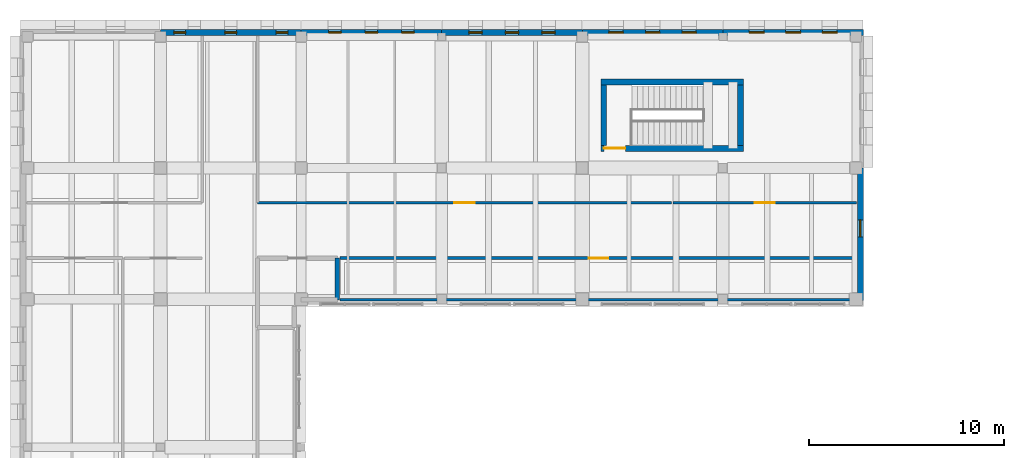
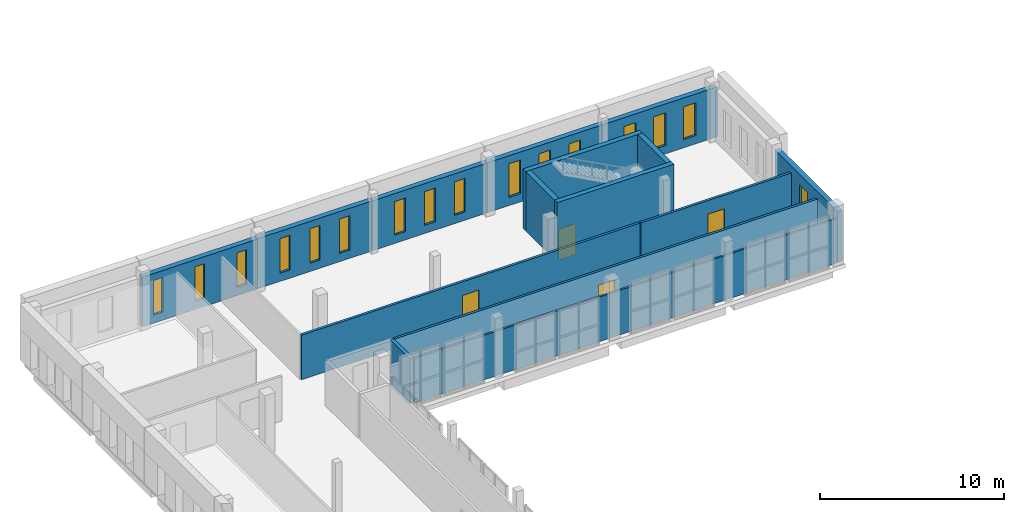
# One storey, part 59 of 76: 16 windows, 15 walls, 4 doors, 20 openings.
"""IFC4 building model written with IfcOpenShell, lengths in metres."""

from ifc_helpers import new_model, si_unit, direction, frame, frame_2d, origin, place, context, subcontext, project, spatial, rectangle, extrude, material, layer, layer_set, type_object, element, fill, save


model = new_model("IFC4")

# Units and contexts
model_context = context("Model", 3, precision=1e-05, world=origin(), true_north=direction((0.0, 1.0)))
body_context = subcontext(model_context, "Body", "Model", "MODEL_VIEW")
ifc_project = project(units=[si_unit("LENGTHUNIT", "METRE"), si_unit("AREAUNIT", "SQUARE_METRE"), si_unit("VOLUMEUNIT", "CUBIC_METRE"), si_unit("PLANEANGLEUNIT", "RADIAN"), si_unit("MASSUNIT", "GRAM", prefix="KILO")], contexts=[model_context])

# Site, building, storey
site_placement = place(None, origin())
site = spatial("IfcSite", under=ifc_project, at=site_placement, CompositionType="ELEMENT")
building_placement = place(site_placement, origin())
building = spatial("IfcBuilding", under=site, at=building_placement, Name="Vardoun Plaza Health Centre", CompositionType="ELEMENT")
storey_placement = place(building_placement, frame((0.0, 0.0, 4.5)))
storey = spatial("IfcBuildingStorey", under=building, at=storey_placement, Name="L01", CompositionType="ELEMENT", Elevation=4.5)

# Wall, opening, door
ifc_material_1 = material(Name="Concrete C40/50", Category="concrete")
ifc_layer_1 = layer(ifc_material_1, 0.300048828125)
ifc_layer_set_1 = layer_set([ifc_layer_1], Name="Concrete C40/50")
wall_type_1 = type_object("IfcWallType", Name="SW-01", PredefinedType="SHEAR", material=ifc_layer_set_1)
wall_1_placement = place(storey_placement, frame((41.550048828125, 109.199951171875, 0.0), z_axis=(0.0, 0.0, 1.0), x_axis=(-1.0, 0.0, 0.0)))
wall_1 = element("IfcWall", 1, at=wall_1_placement, inside=storey, type_object=wall_type_1, Name="Core C4 L01 Shear Wall S", PredefinedType="SHEAR", context=body_context, shape_type="SweptSolid", body=[
    extrude(rectangle(XDim=7.300048828125, YDim=0.300048828125, at=frame_2d((3.64990234375, 0.0))), origin(), (0.0, 0.0, 1.0), 3.93505859375),
])
opening_1_placement = place(wall_1_placement, frame((6.0400390625, 0.0, 0.0)))
opening_1 = element("IfcOpeningElement", 2, at=opening_1_placement, cuts=wall_1, Name="Opening SD-C4-L01", PredefinedType="OPENING", context=body_context, shape_type="SweptSolid", body=[
    extrude(rectangle(XDim=1.10009765625, YDim=2.050048828125, at=frame_2d((0.550048828125, 1.02490234375))), frame((0.0, 0.14990234375, 0.0), z_axis=(0.0, -1.0, 0.0), x_axis=(1.0, 0.0, 0.0)), (0.0, 0.0, 1.0), 0.300048828125),
])
ifc_material_2 = material(Name="Brushed Stainless Steel Grade 316L", Category="steel")
door_type_1 = type_object("IfcDoorType", Name="FD-01", OperationType="NOTDEFINED", PredefinedType="DOOR", material=ifc_material_2)
door_1_placement = place(opening_1_placement, origin())
door_1 = element("IfcDoor", 3, at=door_1_placement, inside=storey, type_object=door_type_1, Name="Stair C4 L01 Fire Door", OperationType="SINGLE_SWING_LEFT", OverallHeight=2.050048828125, OverallWidth=1.10009765625, PredefinedType="DOOR", context=body_context, shape_type="SweptSolid", body=[
    extrude(rectangle(XDim=1.10009765625, YDim=2.050048828125, at=frame_2d((0.550048828125, 1.02490234375))), frame((0.0, 0.02490234375, 0.0), z_axis=(0.0, -1.0, 0.0), x_axis=(1.0, 0.0, 0.0)), (0.0, 0.0, 1.0), 0.050048828125),
])
fill(opening_1, door_1)

# Walls
wall_2_placement = place(storey_placement, frame((34.39990234375, 109.35009765625, 0.0), z_axis=(0.0, 0.0, 1.0), x_axis=(0.0, 1.0, 0.0)))
element("IfcWall", 4, at=wall_2_placement, inside=storey, type_object=wall_type_1, Name="Core C4 L01 Shear Wall W", PredefinedType="SHEAR", context=body_context, shape_type="SweptSolid", body=[
    extrude(rectangle(XDim=3.099853515625, YDim=0.300048828125, at=frame_2d((1.5498046875, 0.0))), origin(), (0.0, 0.0, 1.0), 3.93505859375),
])
wall_3_placement = place(storey_placement, frame((34.25, 112.60009765625, 0.0), z_axis=(0.0, 0.0, 1.0), x_axis=(1.0, 0.0, 0.0)))
element("IfcWall", 5, at=wall_3_placement, inside=storey, type_object=wall_type_1, Name="Core C4 L01 Shear Wall N", PredefinedType="SHEAR", context=body_context, shape_type="SweptSolid", body=[
    extrude(rectangle(XDim=7.300048828125, YDim=0.300048828125, at=frame_2d((3.64990234375, 0.0))), origin(), (0.0, 0.0, 1.0), 3.93505859375),
])
wall_4_placement = place(storey_placement, frame((41.39990234375, 112.449951171875, 0.0), z_axis=(0.0, 0.0, 1.0), x_axis=(0.0, -1.0, 0.0)))
element("IfcWall", 6, at=wall_4_placement, inside=storey, type_object=wall_type_1, Name="Core C4 L01 Shear Wall E", PredefinedType="SHEAR", context=body_context, shape_type="SweptSolid", body=[
    extrude(rectangle(XDim=3.099853515625, YDim=0.300048828125, at=frame_2d((1.5498046875, 0.0))), origin(), (0.0, 0.0, 1.0), 3.93505859375),
])

# Wall, openings, windows
ifc_material_3 = material(Name="Pale Limestone Concrete C35/45", Category="masonry")
ifc_layer_2 = layer(ifc_material_3, 0.31494140625)
ifc_layer_set_2 = layer_set([ifc_layer_2], Name="Pale Limestone Concrete C35/45")
wall_type_2 = type_object("IfcWallType", Name="EW-03", PredefinedType="SOLIDWALL", material=ifc_layer_set_2)
wall_5_placement = place(storey_placement, frame((11.699951171875, 115.142578125, 0.0), z_axis=(0.0, 0.0, 1.0), x_axis=(1.0, 0.0, 0.0)))
wall_5 = element("IfcWall", 7, at=wall_5_placement, inside=storey, type_object=wall_type_2, Name="V3 L01 Exterior Wall EW-V3-260", PredefinedType="SOLIDWALL", context=body_context, shape_type="SweptSolid", body=[
    extrude(rectangle(XDim=7.199951171875, YDim=0.31494140625, at=frame_2d((3.60009765625, 0.0))), origin(), (0.0, 0.0, 1.0), 3.300048828125),
])
opening_2_placement = place(wall_5_placement, frame((0.677978515625, 0.0, 0.550048828125)))
opening_2 = element("IfcOpeningElement", 8, at=opening_2_placement, cuts=wall_5, Name="Opening W-11-007", PredefinedType="OPENING", context=body_context, shape_type="SweptSolid", body=[
    extrude(rectangle(XDim=0.60009765625, YDim=2.280029296875, at=frame_2d((0.300048828125, 1.14013671875))), frame((0.0, 0.157470703125, 0.0), z_axis=(0.0, -1.0, 0.0), x_axis=(1.0, 0.0, 0.0)), (0.0, 0.0, 1.0), 0.31494140625),
])
opening_3_placement = place(wall_5_placement, frame((3.300048828125, 0.0, 0.550048828125)))
opening_3 = element("IfcOpeningElement", 9, at=opening_3_placement, cuts=wall_5, Name="Opening W-11-008", PredefinedType="OPENING", context=body_context, shape_type="SweptSolid", body=[
    extrude(rectangle(XDim=0.60009765625, YDim=2.280029296875, at=frame_2d((0.300048828125, 1.14013671875))), frame((0.0, 0.157470703125, 0.0), z_axis=(0.0, -1.0, 0.0), x_axis=(1.0, 0.0, 0.0)), (0.0, 0.0, 1.0), 0.31494140625),
])
opening_4_placement = place(wall_5_placement, frame((5.922119140625, 0.0, 0.550048828125)))
opening_4 = element("IfcOpeningElement", 10, at=opening_4_placement, cuts=wall_5, Name="Opening W-11-009", PredefinedType="OPENING", context=body_context, shape_type="SweptSolid", body=[
    extrude(rectangle(XDim=0.60009765625, YDim=2.280029296875, at=frame_2d((0.300048828125, 1.14013671875))), frame((0.0, 0.157470703125, 0.0), z_axis=(0.0, -1.0, 0.0), x_axis=(1.0, 0.0, 0.0)), (0.0, 0.0, 1.0), 0.31494140625),
])
ifc_material_4 = material(Name="Aluminium Alloy EN AW-6063-T6 and Low-E Glass", Category="aluminium")
window_type_1 = type_object("IfcWindowType", Name="W-11", PartitioningType="SINGLE_PANEL", PredefinedType="WINDOW", material=ifc_material_4)
window_1_placement = place(opening_2_placement, origin())
window_1 = element("IfcWindow", 11, at=window_1_placement, inside=storey, type_object=window_type_1, Name="V3 L01 Deep-Punched Slot Window W-11-390", OverallHeight=2.280029296875, OverallWidth=0.60009765625, PartitioningType="SINGLE_PANEL", PredefinedType="WINDOW", context=body_context, shape_type="SweptSolid", body=[
    extrude(rectangle(XDim=0.60009765625, YDim=2.280029296875, at=frame_2d((0.300048828125, 1.14013671875))), frame((0.0, 0.030029296875, 0.0), z_axis=(0.0, -1.0, 0.0), x_axis=(1.0, 0.0, 0.0)), (0.0, 0.0, 1.0), 0.06005859375),
])
fill(opening_2, window_1)
window_2_placement = place(opening_3_placement, origin())
window_2 = element("IfcWindow", 12, at=window_2_placement, inside=storey, type_object=window_type_1, Name="V3 L01 Deep-Punched Slot Window W-11-391", OverallHeight=2.280029296875, OverallWidth=0.60009765625, PartitioningType="SINGLE_PANEL", PredefinedType="WINDOW", context=body_context, shape_type="SweptSolid", body=[
    extrude(rectangle(XDim=0.60009765625, YDim=2.280029296875, at=frame_2d((0.300048828125, 1.14013671875))), frame((0.0, 0.030029296875, 0.0), z_axis=(0.0, -1.0, 0.0), x_axis=(1.0, 0.0, 0.0)), (0.0, 0.0, 1.0), 0.06005859375),
])
fill(opening_3, window_2)
window_3_placement = place(opening_4_placement, origin())
window_3 = element("IfcWindow", 13, at=window_3_placement, inside=storey, type_object=window_type_1, Name="V3 L01 Deep-Punched Slot Window W-11-392", OverallHeight=2.280029296875, OverallWidth=0.60009765625, PartitioningType="SINGLE_PANEL", PredefinedType="WINDOW", context=body_context, shape_type="SweptSolid", body=[
    extrude(rectangle(XDim=0.60009765625, YDim=2.280029296875, at=frame_2d((0.300048828125, 1.14013671875))), frame((0.0, 0.030029296875, 0.0), z_axis=(0.0, -1.0, 0.0), x_axis=(1.0, 0.0, 0.0)), (0.0, 0.0, 1.0), 0.06005859375),
])
fill(opening_4, window_3)

wall_6_placement = place(storey_placement, frame((18.89990234375, 115.142578125, 0.0), z_axis=(0.0, 0.0, 1.0), x_axis=(1.0, 0.0, 0.0)))
wall_6 = element("IfcWall", 14, at=wall_6_placement, inside=storey, type_object=wall_type_2, Name="V3 L01 Exterior Wall EW-V3-261", PredefinedType="SOLIDWALL", context=body_context, shape_type="SweptSolid", body=[
    extrude(rectangle(XDim=7.2001953125, YDim=0.31494140625, at=frame_2d((3.60009765625, 0.0))), origin(), (0.0, 0.0, 1.0), 3.320068359375),
])
opening_5_placement = place(wall_6_placement, frame((1.407958984375, 0.0, 0.550048828125)))
opening_5 = element("IfcOpeningElement", 15, at=opening_5_placement, cuts=wall_6, Name="Opening W-12-007", PredefinedType="OPENING", context=body_context, shape_type="SweptSolid", body=[
    extrude(rectangle(XDim=0.639892578125, YDim=2.280029296875, at=frame_2d((0.31982421875, 1.14013671875))), frame((0.0, 0.157470703125, 0.0), z_axis=(0.0, -1.0, 0.0), x_axis=(1.0, 0.0, 0.0)), (0.0, 0.0, 1.0), 0.31494140625),
])
opening_6_placement = place(wall_6_placement, frame((3.280029296875, 0.0, 0.550048828125)))
opening_6 = element("IfcOpeningElement", 16, at=opening_6_placement, cuts=wall_6, Name="Opening W-12-008", PredefinedType="OPENING", context=body_context, shape_type="SweptSolid", body=[
    extrude(rectangle(XDim=0.639892578125, YDim=2.280029296875, at=frame_2d((0.31982421875, 1.14013671875))), frame((0.0, 0.157470703125, 0.0), z_axis=(0.0, -1.0, 0.0), x_axis=(1.0, 0.0, 0.0)), (0.0, 0.0, 1.0), 0.31494140625),
])
opening_7_placement = place(wall_6_placement, frame((5.152099609375, 0.0, 0.550048828125)))
opening_7 = element("IfcOpeningElement", 17, at=opening_7_placement, cuts=wall_6, Name="Opening W-12-009", PredefinedType="OPENING", context=body_context, shape_type="SweptSolid", body=[
    extrude(rectangle(XDim=0.639892578125, YDim=2.280029296875, at=frame_2d((0.31982421875, 1.14013671875))), frame((0.0, 0.157470703125, 0.0), z_axis=(0.0, -1.0, 0.0), x_axis=(1.0, 0.0, 0.0)), (0.0, 0.0, 1.0), 0.31494140625),
])
ifc_material_5 = material(Name="Aluminium Alloy EN AW-6063-T6 and Low-E Glass", Category="aluminium")
window_type_2 = type_object("IfcWindowType", Name="W-12", PartitioningType="SINGLE_PANEL", PredefinedType="WINDOW", material=ifc_material_5)
window_4_placement = place(opening_5_placement, origin())
window_4 = element("IfcWindow", 18, at=window_4_placement, inside=storey, type_object=window_type_2, Name="V3 L01 Deep-Punched Slot Window W-12-393", OverallHeight=2.280029296875, OverallWidth=0.639892578125, PartitioningType="SINGLE_PANEL", PredefinedType="WINDOW", context=body_context, shape_type="SweptSolid", body=[
    extrude(rectangle(XDim=0.639892578125, YDim=2.280029296875, at=frame_2d((0.31982421875, 1.14013671875))), frame((0.0, 0.030029296875, 0.0), z_axis=(0.0, -1.0, 0.0), x_axis=(1.0, 0.0, 0.0)), (0.0, 0.0, 1.0), 0.06005859375),
])
fill(opening_5, window_4)
window_5_placement = place(opening_6_placement, origin())
window_5 = element("IfcWindow", 19, at=window_5_placement, inside=storey, type_object=window_type_2, Name="V3 L01 Deep-Punched Slot Window W-12-394", OverallHeight=2.280029296875, OverallWidth=0.639892578125, PartitioningType="SINGLE_PANEL", PredefinedType="WINDOW", context=body_context, shape_type="SweptSolid", body=[
    extrude(rectangle(XDim=0.639892578125, YDim=2.280029296875, at=frame_2d((0.31982421875, 1.14013671875))), frame((0.0, 0.030029296875, 0.0), z_axis=(0.0, -1.0, 0.0), x_axis=(1.0, 0.0, 0.0)), (0.0, 0.0, 1.0), 0.06005859375),
])
fill(opening_6, window_5)
window_6_placement = place(opening_7_placement, origin())
window_6 = element("IfcWindow", 20, at=window_6_placement, inside=storey, type_object=window_type_2, Name="V3 L01 Deep-Punched Slot Window W-12-395", OverallHeight=2.280029296875, OverallWidth=0.639892578125, PartitioningType="SINGLE_PANEL", PredefinedType="WINDOW", context=body_context, shape_type="SweptSolid", body=[
    extrude(rectangle(XDim=0.639892578125, YDim=2.280029296875, at=frame_2d((0.31982421875, 1.14013671875))), frame((0.0, 0.030029296875, 0.0), z_axis=(0.0, -1.0, 0.0), x_axis=(1.0, 0.0, 0.0)), (0.0, 0.0, 1.0), 0.06005859375),
])
fill(opening_7, window_6)

wall_7_placement = place(storey_placement, frame((26.10009765625, 115.142578125, 0.0), z_axis=(0.0, 0.0, 1.0), x_axis=(1.0, 0.0, 0.0)))
wall_7 = element("IfcWall", 21, at=wall_7_placement, inside=storey, type_object=wall_type_2, Name="V3 L01 Exterior Wall EW-V3-262", PredefinedType="SOLIDWALL", context=body_context, shape_type="SweptSolid", body=[
    extrude(rectangle(XDim=7.199951171875, YDim=0.31494140625, at=frame_2d((3.60009765625, 0.0))), origin(), (0.0, 0.0, 1.0), 3.300048828125),
])
opening_8_placement = place(wall_7_placement, frame((1.387939453125, 0.0, 0.550048828125)))
opening_8 = element("IfcOpeningElement", 22, at=opening_8_placement, cuts=wall_7, Name="Opening W-13-009", PredefinedType="OPENING", context=body_context, shape_type="SweptSolid", body=[
    extrude(rectangle(XDim=0.679931640625, YDim=2.219970703125, at=frame_2d((0.33984375, 1.10986328125))), frame((0.0, 0.157470703125, 0.0), z_axis=(0.0, -1.0, 0.0), x_axis=(1.0, 0.0, 0.0)), (0.0, 0.0, 1.0), 0.31494140625),
])
opening_9_placement = place(wall_7_placement, frame((3.260009765625, 0.0, 0.550048828125)))
opening_9 = element("IfcOpeningElement", 23, at=opening_9_placement, cuts=wall_7, Name="Opening W-13-010", PredefinedType="OPENING", context=body_context, shape_type="SweptSolid", body=[
    extrude(rectangle(XDim=0.679931640625, YDim=2.219970703125, at=frame_2d((0.33984375, 1.10986328125))), frame((0.0, 0.157470703125, 0.0), z_axis=(0.0, -1.0, 0.0), x_axis=(1.0, 0.0, 0.0)), (0.0, 0.0, 1.0), 0.31494140625),
])
opening_10_placement = place(wall_7_placement, frame((5.132080078125, 0.0, 0.550048828125)))
opening_10 = element("IfcOpeningElement", 24, at=opening_10_placement, cuts=wall_7, Name="Opening W-13-011", PredefinedType="OPENING", context=body_context, shape_type="SweptSolid", body=[
    extrude(rectangle(XDim=0.679931640625, YDim=2.219970703125, at=frame_2d((0.33984375, 1.10986328125))), frame((0.0, 0.157470703125, 0.0), z_axis=(0.0, -1.0, 0.0), x_axis=(1.0, 0.0, 0.0)), (0.0, 0.0, 1.0), 0.31494140625),
])
ifc_material_6 = material(Name="Aluminium Alloy EN AW-6063-T6 and Low-E Glass", Category="aluminium")
window_type_3 = type_object("IfcWindowType", Name="W-13", PartitioningType="SINGLE_PANEL", PredefinedType="WINDOW", material=ifc_material_6)
window_7_placement = place(opening_8_placement, origin())
window_7 = element("IfcWindow", 25, at=window_7_placement, inside=storey, type_object=window_type_3, Name="V3 L01 Deep-Punched Slot Window W-13-396", OverallHeight=2.219970703125, OverallWidth=0.679931640625, PartitioningType="SINGLE_PANEL", PredefinedType="WINDOW", context=body_context, shape_type="SweptSolid", body=[
    extrude(rectangle(XDim=0.679931640625, YDim=2.219970703125, at=frame_2d((0.33984375, 1.10986328125))), frame((0.0, 0.030029296875, 0.0), z_axis=(0.0, -1.0, 0.0), x_axis=(1.0, 0.0, 0.0)), (0.0, 0.0, 1.0), 0.06005859375),
])
fill(opening_8, window_7)
window_8_placement = place(opening_9_placement, origin())
window_8 = element("IfcWindow", 26, at=window_8_placement, inside=storey, type_object=window_type_3, Name="V3 L01 Deep-Punched Slot Window W-13-397", OverallHeight=2.219970703125, OverallWidth=0.679931640625, PartitioningType="SINGLE_PANEL", PredefinedType="WINDOW", context=body_context, shape_type="SweptSolid", body=[
    extrude(rectangle(XDim=0.679931640625, YDim=2.219970703125, at=frame_2d((0.33984375, 1.10986328125))), frame((0.0, 0.030029296875, 0.0), z_axis=(0.0, -1.0, 0.0), x_axis=(1.0, 0.0, 0.0)), (0.0, 0.0, 1.0), 0.06005859375),
])
fill(opening_9, window_8)
window_9_placement = place(opening_10_placement, origin())
window_9 = element("IfcWindow", 27, at=window_9_placement, inside=storey, type_object=window_type_3, Name="V3 L01 Deep-Punched Slot Window W-13-398", OverallHeight=2.219970703125, OverallWidth=0.679931640625, PartitioningType="SINGLE_PANEL", PredefinedType="WINDOW", context=body_context, shape_type="SweptSolid", body=[
    extrude(rectangle(XDim=0.679931640625, YDim=2.219970703125, at=frame_2d((0.33984375, 1.10986328125))), frame((0.0, 0.030029296875, 0.0), z_axis=(0.0, -1.0, 0.0), x_axis=(1.0, 0.0, 0.0)), (0.0, 0.0, 1.0), 0.06005859375),
])
fill(opening_10, window_9)

wall_8_placement = place(storey_placement, frame((33.300048828125, 115.142578125, 0.0), z_axis=(0.0, 0.0, 1.0), x_axis=(1.0, 0.0, 0.0)))
wall_8 = element("IfcWall", 28, at=wall_8_placement, inside=storey, type_object=wall_type_2, Name="V3 L01 Exterior Wall EW-V3-263", PredefinedType="SOLIDWALL", context=body_context, shape_type="SweptSolid", body=[
    extrude(rectangle(XDim=7.199951171875, YDim=0.31494140625, at=frame_2d((3.60009765625, 0.0))), origin(), (0.0, 0.0, 1.0), 3.300048828125),
])
opening_11_placement = place(wall_8_placement, frame((1.367919921875, 0.0, 0.550048828125)))
opening_11 = element("IfcOpeningElement", 29, at=opening_11_placement, cuts=wall_8, Name="Opening W-14-004", PredefinedType="OPENING", context=body_context, shape_type="SweptSolid", body=[
    extrude(rectangle(XDim=0.719970703125, YDim=2.219970703125, at=frame_2d((0.35986328125, 1.10986328125))), frame((0.0, 0.157470703125, 0.0), z_axis=(0.0, -1.0, 0.0), x_axis=(1.0, 0.0, 0.0)), (0.0, 0.0, 1.0), 0.31494140625),
])
opening_12_placement = place(wall_8_placement, frame((3.239990234375, 0.0, 0.550048828125)))
opening_12 = element("IfcOpeningElement", 30, at=opening_12_placement, cuts=wall_8, Name="Opening W-14-005", PredefinedType="OPENING", context=body_context, shape_type="SweptSolid", body=[
    extrude(rectangle(XDim=0.719970703125, YDim=2.219970703125, at=frame_2d((0.35986328125, 1.10986328125))), frame((0.0, 0.157470703125, 0.0), z_axis=(0.0, -1.0, 0.0), x_axis=(1.0, 0.0, 0.0)), (0.0, 0.0, 1.0), 0.31494140625),
])
opening_13_placement = place(wall_8_placement, frame((5.112060546875, 0.0, 0.550048828125)))
opening_13 = element("IfcOpeningElement", 31, at=opening_13_placement, cuts=wall_8, Name="Opening W-14-006", PredefinedType="OPENING", context=body_context, shape_type="SweptSolid", body=[
    extrude(rectangle(XDim=0.719970703125, YDim=2.219970703125, at=frame_2d((0.35986328125, 1.10986328125))), frame((0.0, 0.157470703125, 0.0), z_axis=(0.0, -1.0, 0.0), x_axis=(1.0, 0.0, 0.0)), (0.0, 0.0, 1.0), 0.31494140625),
])
ifc_material_7 = material(Name="Aluminium Alloy EN AW-6063-T6 and Low-E Glass", Category="aluminium")
window_type_4 = type_object("IfcWindowType", Name="W-14", PartitioningType="SINGLE_PANEL", PredefinedType="WINDOW", material=ifc_material_7)
window_10_placement = place(opening_11_placement, origin())
window_10 = element("IfcWindow", 32, at=window_10_placement, inside=storey, type_object=window_type_4, Name="V3 L01 Deep-Punched Slot Window W-14-399", OverallHeight=2.219970703125, OverallWidth=0.719970703125, PartitioningType="SINGLE_PANEL", PredefinedType="WINDOW", context=body_context, shape_type="SweptSolid", body=[
    extrude(rectangle(XDim=0.719970703125, YDim=2.219970703125, at=frame_2d((0.35986328125, 1.10986328125))), frame((0.0, 0.030029296875, 0.0), z_axis=(0.0, -1.0, 0.0), x_axis=(1.0, 0.0, 0.0)), (0.0, 0.0, 1.0), 0.06005859375),
])
fill(opening_11, window_10)
window_11_placement = place(opening_12_placement, origin())
window_11 = element("IfcWindow", 33, at=window_11_placement, inside=storey, type_object=window_type_4, Name="V3 L01 Deep-Punched Slot Window W-14-400", OverallHeight=2.219970703125, OverallWidth=0.719970703125, PartitioningType="SINGLE_PANEL", PredefinedType="WINDOW", context=body_context, shape_type="SweptSolid", body=[
    extrude(rectangle(XDim=0.719970703125, YDim=2.219970703125, at=frame_2d((0.35986328125, 1.10986328125))), frame((0.0, 0.030029296875, 0.0), z_axis=(0.0, -1.0, 0.0), x_axis=(1.0, 0.0, 0.0)), (0.0, 0.0, 1.0), 0.06005859375),
])
fill(opening_12, window_11)
window_12_placement = place(opening_13_placement, origin())
window_12 = element("IfcWindow", 34, at=window_12_placement, inside=storey, type_object=window_type_4, Name="V3 L01 Deep-Punched Slot Window W-14-401", OverallHeight=2.219970703125, OverallWidth=0.719970703125, PartitioningType="SINGLE_PANEL", PredefinedType="WINDOW", context=body_context, shape_type="SweptSolid", body=[
    extrude(rectangle(XDim=0.719970703125, YDim=2.219970703125, at=frame_2d((0.35986328125, 1.10986328125))), frame((0.0, 0.030029296875, 0.0), z_axis=(0.0, -1.0, 0.0), x_axis=(1.0, 0.0, 0.0)), (0.0, 0.0, 1.0), 0.06005859375),
])
fill(opening_13, window_12)

wall_9_placement = place(storey_placement, frame((40.5, 115.142578125, 0.0), z_axis=(0.0, 0.0, 1.0), x_axis=(1.0, 0.0, 0.0)))
wall_9 = element("IfcWall", 35, at=wall_9_placement, inside=storey, type_object=wall_type_2, Name="V3 L01 Exterior Wall EW-V3-264", PredefinedType="SOLIDWALL", context=body_context, shape_type="SweptSolid", body=[
    extrude(rectangle(XDim=7.199951171875, YDim=0.31494140625, at=frame_2d((3.60009765625, 0.0))), origin(), (0.0, 0.0, 1.0), 3.300048828125),
])
opening_14_placement = place(wall_9_placement, frame((1.347900390625, 0.0, 0.550048828125)))
opening_14 = element("IfcOpeningElement", 36, at=opening_14_placement, cuts=wall_9, Name="Opening W-15-004", PredefinedType="OPENING", context=body_context, shape_type="SweptSolid", body=[
    extrude(rectangle(XDim=0.760009765625, YDim=2.159912109375, at=frame_2d((0.3798828125, 1.080078125))), frame((0.0, 0.157470703125, 0.0), z_axis=(0.0, -1.0, 0.0), x_axis=(1.0, 0.0, 0.0)), (0.0, 0.0, 1.0), 0.31494140625),
])
opening_15_placement = place(wall_9_placement, frame((3.219970703125, 0.0, 0.550048828125)))
opening_15 = element("IfcOpeningElement", 37, at=opening_15_placement, cuts=wall_9, Name="Opening W-15-005", PredefinedType="OPENING", context=body_context, shape_type="SweptSolid", body=[
    extrude(rectangle(XDim=0.760009765625, YDim=2.159912109375, at=frame_2d((0.3798828125, 1.080078125))), frame((0.0, 0.157470703125, 0.0), z_axis=(0.0, -1.0, 0.0), x_axis=(1.0, 0.0, 0.0)), (0.0, 0.0, 1.0), 0.31494140625),
])
opening_16_placement = place(wall_9_placement, frame((5.092041015625, 0.0, 0.550048828125)))
opening_16 = element("IfcOpeningElement", 38, at=opening_16_placement, cuts=wall_9, Name="Opening W-15-006", PredefinedType="OPENING", context=body_context, shape_type="SweptSolid", body=[
    extrude(rectangle(XDim=0.760009765625, YDim=2.159912109375, at=frame_2d((0.3798828125, 1.080078125))), frame((0.0, 0.157470703125, 0.0), z_axis=(0.0, -1.0, 0.0), x_axis=(1.0, 0.0, 0.0)), (0.0, 0.0, 1.0), 0.31494140625),
])
ifc_material_8 = material(Name="Aluminium Alloy EN AW-6063-T6 and Low-E Glass", Category="aluminium")
window_type_5 = type_object("IfcWindowType", Name="W-15", PartitioningType="SINGLE_PANEL", PredefinedType="WINDOW", material=ifc_material_8)
window_13_placement = place(opening_14_placement, origin())
window_13 = element("IfcWindow", 39, at=window_13_placement, inside=storey, type_object=window_type_5, Name="V3 L01 Deep-Punched Slot Window W-15-402", OverallHeight=2.159912109375, OverallWidth=0.760009765625, PartitioningType="SINGLE_PANEL", PredefinedType="WINDOW", context=body_context, shape_type="SweptSolid", body=[
    extrude(rectangle(XDim=0.760009765625, YDim=2.159912109375, at=frame_2d((0.3798828125, 1.080078125))), frame((0.0, 0.030029296875, 0.0), z_axis=(0.0, -1.0, 0.0), x_axis=(1.0, 0.0, 0.0)), (0.0, 0.0, 1.0), 0.06005859375),
])
fill(opening_14, window_13)
window_14_placement = place(opening_15_placement, origin())
window_14 = element("IfcWindow", 40, at=window_14_placement, inside=storey, type_object=window_type_5, Name="V3 L01 Deep-Punched Slot Window W-15-403", OverallHeight=2.159912109375, OverallWidth=0.760009765625, PartitioningType="SINGLE_PANEL", PredefinedType="WINDOW", context=body_context, shape_type="SweptSolid", body=[
    extrude(rectangle(XDim=0.760009765625, YDim=2.159912109375, at=frame_2d((0.3798828125, 1.080078125))), frame((0.0, 0.030029296875, 0.0), z_axis=(0.0, -1.0, 0.0), x_axis=(1.0, 0.0, 0.0)), (0.0, 0.0, 1.0), 0.06005859375),
])
fill(opening_15, window_14)
window_15_placement = place(opening_16_placement, origin())
window_15 = element("IfcWindow", 41, at=window_15_placement, inside=storey, type_object=window_type_5, Name="V3 L01 Deep-Punched Slot Window W-15-404", OverallHeight=2.159912109375, OverallWidth=0.760009765625, PartitioningType="SINGLE_PANEL", PredefinedType="WINDOW", context=body_context, shape_type="SweptSolid", body=[
    extrude(rectangle(XDim=0.760009765625, YDim=2.159912109375, at=frame_2d((0.3798828125, 1.080078125))), frame((0.0, 0.030029296875, 0.0), z_axis=(0.0, -1.0, 0.0), x_axis=(1.0, 0.0, 0.0)), (0.0, 0.0, 1.0), 0.06005859375),
])
fill(opening_16, window_15)

# Wall, opening, window
wall_10_placement = place(storey_placement, frame((47.54248046875, 108.199951171875, 0.0), z_axis=(0.0, 0.0, 1.0), x_axis=(0.0, -1.0, 0.0)))
wall_10 = element("IfcWall", 42, at=wall_10_placement, inside=storey, type_object=wall_type_2, Name="V3 L01 Exterior Wall EW-V3-266", PredefinedType="SOLIDWALL", context=body_context, shape_type="SweptSolid", body=[
    extrude(rectangle(XDim=6.784912109375, YDim=0.31494140625, at=frame_2d((3.392578125, 0.0))), origin(), (0.0, 0.0, 1.0), 3.3701171875),
])
opening_17_placement = place(wall_10_placement, frame((2.652587890625, 0.0, 0.550048828125)))
opening_17 = element("IfcOpeningElement", 43, at=opening_17_placement, cuts=wall_10, Name="Opening W-18-007", PredefinedType="OPENING", context=body_context, shape_type="SweptSolid", body=[
    extrude(rectangle(XDim=0.8798828125, YDim=2.1201171875, at=frame_2d((0.43994140625, 1.06005859375))), frame((0.0, 0.157470703125, 0.0), z_axis=(0.0, -1.0, 0.0), x_axis=(1.0, 0.0, 0.0)), (0.0, 0.0, 1.0), 0.31494140625),
])
ifc_material_9 = material(Name="Aluminium Alloy EN AW-6063-T6 and Low-E Glass", Category="aluminium")
window_type_6 = type_object("IfcWindowType", Name="W-18", PartitioningType="SINGLE_PANEL", PredefinedType="WINDOW", material=ifc_material_9)
window_16_placement = place(opening_17_placement, origin())
window_16 = element("IfcWindow", 44, at=window_16_placement, inside=storey, type_object=window_type_6, Name="V3 L01 Deep-Punched Slot Window W-18-409", OverallHeight=2.1201171875, OverallWidth=0.8798828125, PartitioningType="SINGLE_PANEL", PredefinedType="WINDOW", context=body_context, shape_type="SweptSolid", body=[
    extrude(rectangle(XDim=0.8798828125, YDim=2.1201171875, at=frame_2d((0.43994140625, 1.06005859375))), frame((0.0, 0.030029296875, 0.0), z_axis=(0.0, -1.0, 0.0), x_axis=(1.0, 0.0, 0.0)), (0.0, 0.0, 1.0), 0.06005859375),
])
fill(opening_17, window_16)

# Wall, opening, door
ifc_material_10 = material(Name="Acoustic Gypsum Twin-Stud", Category="steel")
ifc_layer_3 = layer(ifc_material_10, 0.14990234375)
ifc_layer_set_3 = layer_set([ifc_layer_3], Name="Acoustic Gypsum Twin-Stud")
wall_type_3 = type_object("IfcWallType", Name="IW-04", PredefinedType="PARTITIONING", material=ifc_layer_set_3)
wall_11_placement = place(storey_placement, frame((37.860107421875, 106.419921875, 0.0), z_axis=(0.0, 0.0, 1.0), x_axis=(-1.0, 0.0, 0.0)))
wall_11 = element("IfcWall", 45, at=wall_11_placement, inside=storey, type_object=wall_type_3, Name="Paediatric Consulting Room 11 Partition Wall", PredefinedType="PARTITIONING", context=body_context, shape_type="SweptSolid", body=[
    extrude(rectangle(XDim=21.190185546875, YDim=0.14990234375, at=frame_2d((10.59521484375, 0.0))), origin(), (0.0, 0.0, 1.0), 2.955078125),
])
opening_18_placement = place(wall_11_placement, frame((10.074951171875, 0.0, 0.0)))
opening_18 = element("IfcOpeningElement", 46, at=opening_18_placement, cuts=wall_11, Name="Opening D-L01-089", PredefinedType="OPENING", context=body_context, shape_type="SweptSolid", body=[
    extrude(rectangle(XDim=1.0400390625, YDim=2.050048828125, at=frame_2d((0.52001953125, 1.02490234375))), frame((0.0, 0.074951171875, 0.0), z_axis=(0.0, -1.0, 0.0), x_axis=(1.0, 0.0, 0.0)), (0.0, 0.0, 1.0), 0.14990234375),
])
ifc_material_11 = material(Name="Antimicrobial Acoustic Timber and Steel S275JR", Category="steel")
door_type_2 = type_object("IfcDoorType", Name="CD-04", OperationType="NOTDEFINED", PredefinedType="DOOR", material=ifc_material_11)
door_2_placement = place(opening_18_placement, origin())
door_2 = element("IfcDoor", 47, at=door_2_placement, inside=storey, type_object=door_type_2, Name="Paediatric Consulting Room 11 Door D-L01-089", OperationType="SINGLE_SWING_LEFT", OverallHeight=2.050048828125, OverallWidth=1.0400390625, PredefinedType="DOOR", context=body_context, shape_type="SweptSolid", body=[
    extrude(rectangle(XDim=1.0400390625, YDim=2.050048828125, at=frame_2d((0.52001953125, 1.02490234375))), frame((0.0, 0.02490234375, 0.0), z_axis=(0.0, -1.0, 0.0), x_axis=(1.0, 0.0, 0.0)), (0.0, 0.0, 1.0), 0.050048828125),
])
fill(opening_18, door_2)

wall_12_placement = place(storey_placement, frame((47.35009765625, 106.419921875, 0.0), z_axis=(0.0, 0.0, 1.0), x_axis=(-1.0, 0.0, 0.0)))
wall_12 = element("IfcWall", 48, at=wall_12_placement, inside=storey, type_object=wall_type_3, Name="Courtyard Waiting Gallery L01 Partition Wall", PredefinedType="PARTITIONING", context=body_context, shape_type="SweptSolid", body=[
    extrude(rectangle(XDim=9.41015625, YDim=0.14990234375, at=frame_2d((4.705078125, 0.0))), origin(), (0.0, 0.0, 1.0), 2.955078125),
])
opening_19_placement = place(wall_12_placement, frame((4.18505859375, 0.0, 0.0)))
opening_19 = element("IfcOpeningElement", 49, at=opening_19_placement, cuts=wall_12, Name="Opening D-L01-093", PredefinedType="OPENING", context=body_context, shape_type="SweptSolid", body=[
    extrude(rectangle(XDim=1.0400390625, YDim=2.050048828125, at=frame_2d((0.52001953125, 1.02490234375))), frame((0.0, 0.074951171875, 0.0), z_axis=(0.0, -1.0, 0.0), x_axis=(1.0, 0.0, 0.0)), (0.0, 0.0, 1.0), 0.14990234375),
])
door_3_placement = place(opening_19_placement, origin())
door_3 = element("IfcDoor", 50, at=door_3_placement, inside=storey, type_object=door_type_2, Name="Courtyard Waiting Gallery L01 Door D-L01-093", OperationType="SINGLE_SWING_LEFT", OverallHeight=2.050048828125, OverallWidth=1.0400390625, PredefinedType="DOOR", context=body_context, shape_type="SweptSolid", body=[
    extrude(rectangle(XDim=1.0400390625, YDim=2.050048828125, at=frame_2d((0.52001953125, 1.02490234375))), frame((0.0, 0.02490234375, 0.0), z_axis=(0.0, -1.0, 0.0), x_axis=(1.0, 0.0, 0.0)), (0.0, 0.0, 1.0), 0.050048828125),
])
fill(opening_19, door_3)

wall_13_placement = place(storey_placement, frame((20.8935546875, 103.580078125, 0.0), z_axis=(0.0, 0.0, 1.0), x_axis=(1.0, 0.0, 0.0)))
wall_13 = element("IfcWall", 51, at=wall_13_placement, inside=storey, type_object=wall_type_3, Name="Paediatric Consulting Room 11 A Partition Wall", PredefinedType="PARTITIONING", context=body_context, shape_type="SweptSolid", body=[
    extrude(rectangle(XDim=26.45654296875, YDim=0.14990234375, at=frame_2d((13.228271484375, 0.0))), origin(), (0.0, 0.0, 1.0), 2.955078125),
])
opening_20_placement = place(wall_13_placement, frame((12.728271484375, 0.0, 0.0)))
opening_20 = element("IfcOpeningElement", 52, at=opening_20_placement, cuts=wall_13, Name="Opening D-L01-094", PredefinedType="OPENING", context=body_context, shape_type="SweptSolid", body=[
    extrude(rectangle(XDim=1.0, YDim=2.050048828125, at=frame_2d((0.5, 1.02490234375))), frame((0.0, 0.074951171875, 0.0), z_axis=(0.0, -1.0, 0.0), x_axis=(1.0, 0.0, 0.0)), (0.0, 0.0, 1.0), 0.14990234375),
])
ifc_material_12 = material(Name="Antimicrobial Acoustic Timber and Steel S275JR", Category="steel")
door_type_3 = type_object("IfcDoorType", Name="CD-03", OperationType="NOTDEFINED", PredefinedType="DOOR", material=ifc_material_12)
door_4_placement = place(opening_20_placement, origin())
door_4 = element("IfcDoor", 53, at=door_4_placement, inside=storey, type_object=door_type_3, Name="Paediatric Consulting Room 11 A Door D-L01-094", OperationType="SINGLE_SWING_RIGHT", OverallHeight=2.050048828125, OverallWidth=1.0, PredefinedType="DOOR", context=body_context, shape_type="SweptSolid", body=[
    extrude(rectangle(XDim=1.0, YDim=2.050048828125, at=frame_2d((0.5, 1.02490234375))), frame((0.0, 0.02490234375, 0.0), z_axis=(0.0, -1.0, 0.0), x_axis=(1.0, 0.0, 0.0)), (0.0, 0.0, 1.0), 0.050048828125),
])
fill(opening_20, door_4)

# Walls
ifc_material_13 = material(Name="Standard Clinical Sub-Partition", Category="steel")
ifc_layer_4 = layer(ifc_material_13, 0.125)
ifc_layer_set_4 = layer_set([ifc_layer_4], Name="Standard Clinical Sub-Partition")
wall_type_4 = type_object("IfcWallType", Name="IW-11", PredefinedType="PARTITIONING", material=ifc_layer_set_4)
wall_14_placement = place(storey_placement, frame((47.35009765625, 101.449951171875, 0.0), z_axis=(0.0, 0.0, 1.0), x_axis=(-1.0, 0.0, 0.0)))
element("IfcWall", 54, at=wall_14_placement, inside=storey, type_object=wall_type_4, Name="Paediatric Consulting Room 11 A Enclosure Partition", PredefinedType="PARTITIONING", context=body_context, shape_type="SweptSolid", body=[
    extrude(rectangle(XDim=26.45654296875, YDim=0.125, at=frame_2d((13.228271484375, 0.0))), origin(), (0.0, 0.0, 1.0), 2.955078125),
])
ifc_material_14 = material(Name="Moisture-Resistant Plumbing Chase", Category="steel")
ifc_layer_5 = layer(ifc_material_14, 0.215087890625)
ifc_layer_set_5 = layer_set([ifc_layer_5], Name="Moisture-Resistant Plumbing Chase")
wall_type_5 = type_object("IfcWallType", Name="IW-06", PredefinedType="PLUMBINGWALL", material=ifc_layer_set_5)
wall_15_placement = place(storey_placement, frame((20.75341796875, 103.580078125, 0.0), z_axis=(0.0, 0.0, 1.0), x_axis=(0.0, -1.0, 0.0)))
element("IfcWall", 55, at=wall_15_placement, inside=storey, type_object=wall_type_5, Name="Accessible WC L01-V3 Enclosure Partition", PredefinedType="PLUMBINGWALL", context=body_context, shape_type="SweptSolid", body=[
    extrude(rectangle(XDim=2.130126953125, YDim=0.215087890625, at=frame_2d((1.06494140625, 0.0))), origin(), (0.0, 0.0, 1.0), 2.955078125),
])

save(model, "model.ifc")
